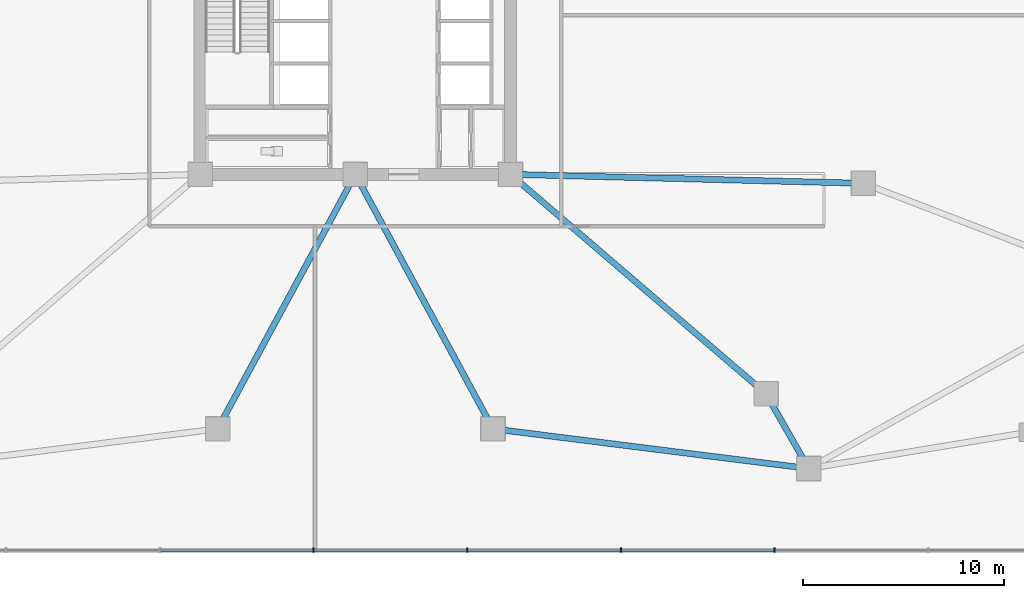
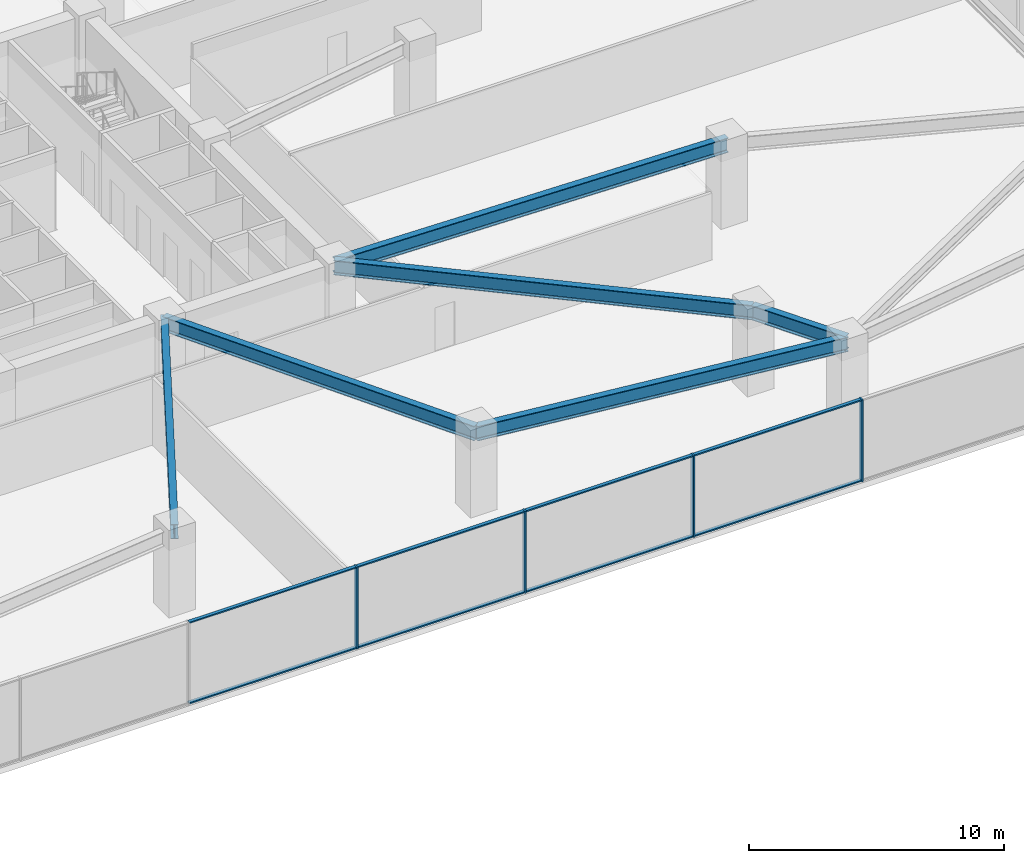
# One storey, part 4 of 21: 12 members, 6 beams, 1 element without a shape of its own.
"""IFC4 building model written with IfcOpenShell, lengths in metres."""

import ifcopenshell
import ifcopenshell.guid

model = None  # the IFC model being written
_history = None  # IfcOwnerHistory: only IFC2X3 demands one
_inside = {}  # id of a spatial element -> (the spatial element, [elements in it])
_under = {}  # id of a project, library or spatial element -> (it, [spatial elements below it])
_declared = {}  # id of a project -> (the project, [libraries it declares])
_typed = {}  # id of a type object -> (the type object, [elements of that type])
_made_of = {}  # id of a material, layer set ... -> (it, [elements and type objects made of it])


def new_model(schema):
    """Start an empty IFC model of exactly this schema.

    Asked for "IFC4X3", IfcOpenShell would pick the latest addendum, in which some entities
    have other attributes; the version numbers below select the first issue.
    IFC2X3 requires an IfcOwnerHistory on every rooted entity: one is made here for all.
    """
    global model, _history
    if schema == "IFC4X3":
        model = ifcopenshell.file(schema_version=(4, 3, 0, 0))
    else:
        model = ifcopenshell.file(schema=schema)
    _inside.clear()
    _under.clear()
    _declared.clear()
    _typed.clear()
    _made_of.clear()
    _history = None
    if model.schema == "IFC2X3":
        org = make("IfcOrganization", Name="unknown")
        user = make(
            "IfcPersonAndOrganization",
            ThePerson=make("IfcPerson", FamilyName="unknown"),
            TheOrganization=org,
        )
        app = make(
            "IfcApplication",
            ApplicationDeveloper=org,
            Version="unknown",
            ApplicationFullName="unknown",
            ApplicationIdentifier="unknown",
        )
        _history = make(
            "IfcOwnerHistory",
            OwningUser=user,
            OwningApplication=app,
            ChangeAction="ADDED",
            CreationDate=0,
        )
    return model


def make(cls, **values):
    """One entity of the class cls with the attributes given. An attribute that is None is left unset."""
    return model.create_entity(
        cls, **{name: value for name, value in values.items() if value is not None}
    )


def rooted(cls, **values):
    """An entity with a GlobalId (a new one), such as an element, a storey or a relation."""
    return make(cls, GlobalId=ifcopenshell.guid.new(), OwnerHistory=_history, **values)


def si_unit(unit_type, name, prefix=None):
    """IfcSIUnit, for example si_unit("LENGTHUNIT", "METRE", prefix="MILLI")."""
    return make("IfcSIUnit", UnitType=unit_type, Prefix=prefix, Name=name)


def assignment(units):
    """IfcUnitAssignment: the units of a project."""
    return None if units is None else make("IfcUnitAssignment", Units=units)


def point(xyz):
    """IfcCartesianPoint."""
    return None if xyz is None else make("IfcCartesianPoint", Coordinates=xyz)


def direction(xyz):
    """IfcDirection."""
    return None if xyz is None else make("IfcDirection", DirectionRatios=xyz)


def frame(location, z_axis=None, x_axis=None):
    """IfcAxis2Placement3D, a coordinate frame: its origin and axes. An axis left out is left unset."""
    return make(
        "IfcAxis2Placement3D",
        Location=point(location),
        Axis=direction(z_axis),
        RefDirection=direction(x_axis),
    )


def frame_2d(location, x_axis=None):
    """IfcAxis2Placement2D, a coordinate frame in the plane: its origin and x axis."""
    return make(
        "IfcAxis2Placement2D", Location=point(location), RefDirection=direction(x_axis)
    )


def origin():
    """The frame at (0, 0, 0) with its axes left unset."""
    return frame((0.0, 0.0, 0.0))


def origin_2d():
    """The frame at (0, 0) in the plane with its x axis left unset."""
    return frame_2d((0.0, 0.0))


def place(relative_to, where):
    """IfcLocalPlacement: puts the frame where relative to a parent placement (None: the world)."""
    return make(
        "IfcLocalPlacement", PlacementRelTo=relative_to, RelativePlacement=where
    )


def context(
    kind, dimensions, precision=None, world=None, true_north=None, identifier=None
):
    """IfcGeometricRepresentationContext, for example the 3D "Model" context."""
    return make(
        "IfcGeometricRepresentationContext",
        ContextIdentifier=identifier,
        ContextType=kind,
        CoordinateSpaceDimension=dimensions,
        Precision=precision,
        WorldCoordinateSystem=world,
        TrueNorth=true_north,
    )


def subcontext(parent, identifier, kind, view, scale=None):
    """IfcGeometricRepresentationSubContext, for example "Body" below "Model"."""
    return make(
        "IfcGeometricRepresentationSubContext",
        ContextIdentifier=identifier,
        ContextType=kind,
        ParentContext=parent,
        TargetScale=scale,
        TargetView=view,
    )


def project(units=None, contexts=None):
    """IfcProject with its units and contexts."""
    return rooted(
        "IfcProject",
        Name="project",
        RepresentationContexts=contexts,
        UnitsInContext=assignment(units),
    )


def spatial(cls, under=None, at=None, **own):
    """A site, building, storey or space (cls), placed at a placement, below another one or the project."""
    s = rooted(cls, ObjectPlacement=at, **own)
    if under is not None:
        _under.setdefault(under.id(), (under, []))[1].append(s)
    return s


def profile(cls, at=None, kind="AREA", **sizes):
    """A parametric profile (cls). Its sizes go by their IFC names, for example OverallWidth=200.0."""
    return make(cls, ProfileType=kind, Position=at, **sizes)


def rectangle(**sizes):
    """IfcRectangleProfileDef."""
    return profile("IfcRectangleProfileDef", **sizes)


def i_section(**sizes):
    """IfcIShapeProfileDef."""
    return profile("IfcIShapeProfileDef", **sizes)


def extrude(swept, where, along, depth):
    """IfcExtrudedAreaSolid: the profile swept, set in the frame where, extruded along a direction by depth."""
    return make(
        "IfcExtrudedAreaSolid",
        SweptArea=swept,
        Position=where,
        ExtrudedDirection=direction(along),
        Depth=depth,
    )


def shape(context_of_items, identifier, shape_type, items):
    """IfcShapeRepresentation: the items that make up one representation, for example the "Body"."""
    return make(
        "IfcShapeRepresentation",
        ContextOfItems=context_of_items,
        RepresentationIdentifier=identifier,
        RepresentationType=shape_type,
        Items=items,
    )


def material(Name=None, Category=None):
    """IfcMaterial."""
    return make("IfcMaterial", Name=Name, Category=Category)


def material_profile(
    of_material, cross_section, Name=None, Category=None, Priority=None
):
    """IfcMaterialProfile: a cross section and its material."""
    return make(
        "IfcMaterialProfile",
        Name=Name,
        Material=of_material,
        Profile=cross_section,
        Priority=Priority,
        Category=Category,
    )


def profile_set(profiles, Name=None, composite=None):
    """IfcMaterialProfileSet."""
    return make(
        "IfcMaterialProfileSet",
        Name=Name,
        MaterialProfiles=profiles,
        CompositeProfile=composite,
    )


def made_of(thing, what):
    """Note that an element or type object is made of a material, layer set ...; save() writes the relation."""
    if what is not None:
        _made_of.setdefault(what.id(), (what, []))[1].append(thing)
    return thing


def type_object(cls, material=None, **own):
    """A type object (cls), such as IfcWallType, which elements share."""
    return made_of(rooted(cls, **own), material)


def element(
    cls,
    number,
    at=None,
    inside=None,
    cuts=None,
    type_object=None,
    material=None,
    context=None,
    identifier="Body",
    shape_type=None,
    held_by="IfcProductDefinitionShape",
    body=None,
    shapes=None,
    **own,
):
    """One element of the class cls, such as IfcWall. Its Tag is "e" and its number.

    at: its placement. inside: the storey or other place that contains it. cuts: it is an
    opening in that element (IfcRelVoidsElement). A single representation is given by context,
    identifier, shape_type and body (its items); several are given by shapes. held_by: the class
    of the entity that holds the representations. save() writes the other relations.
    """
    e = rooted(cls, Tag="e%d" % number, ObjectPlacement=at, **own)
    if body is not None:
        shapes = [shape(context, identifier, shape_type, body)]
    if shapes is not None:
        e.Representation = make(held_by, Representations=shapes)
    if inside is not None:
        _inside.setdefault(inside.id(), (inside, []))[1].append(e)
    if cuts is not None:
        rooted(
            "IfcRelVoidsElement", RelatingBuildingElement=cuts, RelatedOpeningElement=e
        )
    if type_object is not None:
        _typed.setdefault(type_object.id(), (type_object, []))[1].append(e)
    return made_of(e, material)


def aggregate(whole, parts):
    """IfcRelAggregates: a whole, such as a stair, and the parts it consists of."""
    return rooted("IfcRelAggregates", RelatingObject=whole, RelatedObjects=parts)


def save(model, path):
    """Write the relations noted so far, then the file.

    IfcRelAggregates (storeys below a building ...), IfcRelContainedInSpatialStructure (elements
    in a storey), IfcRelDefinesByType, IfcRelAssociatesMaterial and IfcRelDeclares: one each for
    every whole, place, type object, material and project.
    """
    for whole, parts in _under.values():
        aggregate(whole, parts)
    for where, things in _inside.values():
        rooted(
            "IfcRelContainedInSpatialStructure",
            RelatedElements=things,
            RelatingStructure=where,
        )
    for kind, things in _typed.values():
        rooted("IfcRelDefinesByType", RelatedObjects=things, RelatingType=kind)
    for what, things in _made_of.values():
        rooted("IfcRelAssociatesMaterial", RelatedObjects=things, RelatingMaterial=what)
    for by, libraries in _declared.values():
        rooted("IfcRelDeclares", RelatingContext=by, RelatedDefinitions=libraries)
    model.write(path)


model = new_model("IFC4")

# Units and contexts
model_context = context("Model", 3, precision=1e-05, world=origin(), true_north=direction((0.0, 1.0)))
body_context = subcontext(model_context, "Body", "Model", "MODEL_VIEW")
ifc_project = project(units=[si_unit("LENGTHUNIT", "METRE"), si_unit("AREAUNIT", "SQUARE_METRE"), si_unit("VOLUMEUNIT", "CUBIC_METRE"), si_unit("PLANEANGLEUNIT", "RADIAN"), si_unit("MASSUNIT", "GRAM", prefix="KILO")], contexts=[model_context])

# Site, building, storey
site_placement = place(None, origin())
site = spatial("IfcSite", under=ifc_project, at=site_placement, CompositionType="ELEMENT")
building_placement = place(site_placement, origin())
building = spatial("IfcBuilding", under=site, at=building_placement, Name="Savorim Split Tower", CompositionType="ELEMENT")
storey_placement = place(building_placement, frame((0.0, 0.0, 5.0)))
storey = spatial("IfcBuildingStorey", under=building, at=storey_placement, Name="L01", CompositionType="ELEMENT", Elevation=5.0)

# Beams
ifc_material_1 = material(Name="Steel S355", Category="steel")
ifc_material_profile_1 = material_profile(ifc_material_1, i_section(OverallWidth=0.300048828125, OverallDepth=0.699951171875, WebThickness=0.01708984375, FlangeThickness=0.031982421875, FilletRadius=0.027099609375, at=origin_2d()), Name="HEB 700")
ifc_profile_set_1 = profile_set([ifc_material_profile_1], Name="Steel S355")
beam_type = type_object("IfcBeamType", Name="BM-PRI-HEB700", PredefinedType="BEAM", material=ifc_profile_set_1)
beam_1_placement = place(storey_placement, frame((22.5, -24.0, 3.570068359375), z_axis=(-0.992201816191, 0.124641710303, 0.0), x_axis=(-0.124641710303, -0.992201816191, 0.0)))
element("IfcBeam", 1, at=beam_1_placement, inside=storey, type_object=beam_type, Name="L01 Podium Primary Girder BG-03", PredefinedType="BEAM", context=body_context, shape_type="SweptSolid", body=[
    extrude(i_section(OverallWidth=0.300048828125, OverallDepth=0.699951171875, WebThickness=0.01708984375, FlangeThickness=0.031982421875, FilletRadius=0.027099609375, at=origin_2d()), origin(), (0.0, 0.0, 1.0), 15.791259765625),
])
beam_2_placement = place(storey_placement, frame((22.5, -24.0, 3.570068359375), z_axis=(-0.495603085314, 0.868549124591, 0.0), x_axis=(-0.868549124591, -0.495603085314, 0.0)))
element("IfcBeam", 2, at=beam_2_placement, inside=storey, type_object=beam_type, Name="L01 Podium Primary Girder BG-04", PredefinedType="BEAM", context=body_context, shape_type="SweptSolid", body=[
    extrude(i_section(OverallWidth=0.300048828125, OverallDepth=0.699951171875, WebThickness=0.01708984375, FlangeThickness=0.031982421875, FilletRadius=0.027099609375, at=origin_2d()), origin(), (0.0, 0.0, 1.0), 4.26953125),
])
for number, where, z_axis, x_axis, name in (
    (3, (-6.831787109375, -22.03173828125, 3.570068359375), (0.47572005496, 0.879596742438, 0.0), (-0.879596742438, 0.47572005496, 0.0), "L01 Podium Primary Girder BG-23"),
    (4, (6.831787109375, -22.03173828125, 3.570068359375), (-0.47572005496, 0.879596742438, 0.0), (-0.879596742438, -0.47572005496, 0.0), "L01 Podium Primary Girder BG-24"),
):
    element("IfcBeam", number, at=place(storey_placement, frame(where, z_axis=z_axis, x_axis=x_axis)), inside=storey, type_object=beam_type, Name=name, PredefinedType="BEAM", context=body_context, shape_type="SweptSolid", body=[
        extrude(i_section(OverallWidth=0.300048828125, OverallDepth=0.699951171875, WebThickness=0.01708984375, FlangeThickness=0.031982421875, FilletRadius=0.027099609375, at=origin_2d()), origin(), (0.0, 0.0, 1.0), 14.36083984375),
    ])
beam_3_placement = place(storey_placement, frame((20.384033203125, -20.291748046875, 3.570068359375), z_axis=(-0.758671842154, 0.651472974054, 0.0), x_axis=(-0.651472974054, -0.758671842154, 0.0)))
element("IfcBeam", 5, at=beam_3_placement, inside=storey, type_object=beam_type, Name="L01 Podium Primary Girder BG-25", PredefinedType="BEAM", context=body_context, shape_type="SweptSolid", body=[
    extrude(i_section(OverallWidth=0.300048828125, OverallDepth=0.699951171875, WebThickness=0.01708984375, FlangeThickness=0.031982421875, FilletRadius=0.027099609375, at=origin_2d()), origin(), (0.0, 0.0, 1.0), 16.71875),
])
beam_4_placement = place(storey_placement, frame((25.21337890625, -9.845458984375, 3.570068359375), z_axis=(-0.999676538363, 0.025432629574, 0.0), x_axis=(-0.025432629574, -0.999676538363, 0.0)))
element("IfcBeam", 6, at=beam_4_placement, inside=storey, type_object=beam_type, Name="L01 Podium Primary Girder BG-26", PredefinedType="BEAM", context=body_context, shape_type="SweptSolid", body=[
    extrude(i_section(OverallWidth=0.300048828125, OverallDepth=0.699951171875, WebThickness=0.01708984375, FlangeThickness=0.031982421875, FilletRadius=0.027099609375, at=origin_2d()), origin(), (0.0, 0.0, 1.0), 17.51904296875),
])

# Curtain wall, members
ifc_material_2 = material(Name="Dark Ceramic-Fritted Insulated Glass", Category="glass")
curtain_wall_type = type_object("IfcCurtainWallType", Name="CW-POD-GLZ", PredefinedType="NOTDEFINED", material=ifc_material_2)
curtain_wall_placement = place(storey_placement, origin())
curtain_wall = element("IfcCurtainWall", 7, at=curtain_wall_placement, inside=storey, type_object=curtain_wall_type, Name="L01 Curtain Wall CW-L01-E04", PredefinedType="NOTDEFINED")
ifc_material_3 = material(Name="Charcoal Anodised Aluminium", Category="aluminium")
ifc_material_profile_2 = material_profile(ifc_material_3, rectangle(XDim=0.219970703125, YDim=0.070068359375, at=origin_2d()), Name="ALU-M 220x70")
ifc_profile_set_2 = profile_set([ifc_material_profile_2], Name="Charcoal Anodised Aluminium")
member_type_1 = type_object("IfcMemberType", Name="CWM-220x70", PredefinedType="MULLION", material=ifc_profile_set_2)
member_1_placement = place(storey_placement, frame((-2.074462890625, -28.0400390625, 0.0), z_axis=(0.0, 0.0, 1.0), x_axis=(0.0, 1.0, 0.0)))
member_1 = element("IfcMember", 8, at=member_1_placement, type_object=member_type_1, Name="CW-01 mullion 4", PredefinedType="MULLION", context=body_context, shape_type="SweptSolid", body=[
    extrude(rectangle(XDim=0.219970703125, YDim=0.070068359375, at=origin_2d()), origin(), (0.0, 0.0, 1.0), 3.919921875),
])
member_2_placement = place(storey_placement, frame((5.552490234375, -28.0400390625, 0.0), z_axis=(0.0, 0.0, 1.0), x_axis=(0.0, 1.0, 0.0)))
member_2 = element("IfcMember", 9, at=member_2_placement, type_object=member_type_1, Name="CW-01 mullion 5", PredefinedType="MULLION", context=body_context, shape_type="SweptSolid", body=[
    extrude(rectangle(XDim=0.219970703125, YDim=0.070068359375, at=origin_2d()), origin(), (0.0, 0.0, 1.0), 3.919921875),
])
member_3_placement = place(storey_placement, frame((13.179443359375, -28.0400390625, 0.0), z_axis=(0.0, 0.0, 1.0), x_axis=(0.0, 1.0, 0.0)))
member_3 = element("IfcMember", 10, at=member_3_placement, type_object=member_type_1, Name="CW-01 mullion 6", PredefinedType="MULLION", context=body_context, shape_type="SweptSolid", body=[
    extrude(rectangle(XDim=0.219970703125, YDim=0.070068359375, at=origin_2d()), origin(), (0.0, 0.0, 1.0), 3.919921875),
])
member_4_placement = place(storey_placement, frame((20.80615234375, -28.0400390625, 0.0), z_axis=(0.0, 0.0, 1.0), x_axis=(0.0, 1.0, 0.0)))
member_4 = element("IfcMember", 11, at=member_4_placement, type_object=member_type_1, Name="CW-01 mullion 7", PredefinedType="MULLION", context=body_context, shape_type="SweptSolid", body=[
    extrude(rectangle(XDim=0.219970703125, YDim=0.070068359375, at=origin_2d()), origin(), (0.0, 0.0, 1.0), 3.919921875),
])
ifc_material_profile_3 = material_profile(ifc_material_3, rectangle(XDim=0.159912109375, YDim=0.06005859375, at=origin_2d()), Name="ALU-T 160x60")
ifc_profile_set_3 = profile_set([ifc_material_profile_3], Name="Charcoal Anodised Aluminium")
member_type_2 = type_object("IfcMemberType", Name="CWT-160x60", PredefinedType="USERDEFINED", material=ifc_profile_set_3)
member_5_placement = place(storey_placement, frame((-9.666259765625, -28.0400390625, 0.030029296875), z_axis=(1.0, 0.0, 0.0), x_axis=(0.0, 1.0, 0.0)))
member_5 = element("IfcMember", 12, at=member_5_placement, type_object=member_type_2, Name="CW-01 transom 3.1", ObjectType="TRANSOM", PredefinedType="USERDEFINED", context=body_context, shape_type="SweptSolid", body=[
    extrude(rectangle(XDim=0.159912109375, YDim=0.06005859375, at=origin_2d()), origin(), (0.0, 0.0, 1.0), 7.556884765625),
])
member_6_placement = place(storey_placement, frame((-9.666259765625, -28.0400390625, 3.889892578125), z_axis=(1.0, 0.0, 0.0), x_axis=(0.0, 1.0, 0.0)))
member_6 = element("IfcMember", 13, at=member_6_placement, type_object=member_type_2, Name="CW-01 transom 3.2", ObjectType="TRANSOM", PredefinedType="USERDEFINED", context=body_context, shape_type="SweptSolid", body=[
    extrude(rectangle(XDim=0.159912109375, YDim=0.06005859375, at=origin_2d()), origin(), (0.0, 0.0, 1.0), 7.556884765625),
])
member_7_placement = place(storey_placement, frame((-2.039306640625, -28.0400390625, 0.030029296875), z_axis=(1.0, 0.0, 0.0), x_axis=(0.0, 1.0, 0.0)))
member_7 = element("IfcMember", 14, at=member_7_placement, type_object=member_type_2, Name="CW-01 transom 4.1", ObjectType="TRANSOM", PredefinedType="USERDEFINED", context=body_context, shape_type="SweptSolid", body=[
    extrude(rectangle(XDim=0.159912109375, YDim=0.06005859375, at=origin_2d()), origin(), (0.0, 0.0, 1.0), 7.556884765625),
])
member_8_placement = place(storey_placement, frame((-2.039306640625, -28.0400390625, 3.889892578125), z_axis=(1.0, 0.0, 0.0), x_axis=(0.0, 1.0, 0.0)))
member_8 = element("IfcMember", 15, at=member_8_placement, type_object=member_type_2, Name="CW-01 transom 4.2", ObjectType="TRANSOM", PredefinedType="USERDEFINED", context=body_context, shape_type="SweptSolid", body=[
    extrude(rectangle(XDim=0.159912109375, YDim=0.06005859375, at=origin_2d()), origin(), (0.0, 0.0, 1.0), 7.556884765625),
])
member_9_placement = place(storey_placement, frame((5.58740234375, -28.0400390625, 0.030029296875), z_axis=(1.0, 0.0, 0.0), x_axis=(0.0, 1.0, 0.0)))
member_9 = element("IfcMember", 16, at=member_9_placement, type_object=member_type_2, Name="CW-01 transom 5.1", ObjectType="TRANSOM", PredefinedType="USERDEFINED", context=body_context, shape_type="SweptSolid", body=[
    extrude(rectangle(XDim=0.159912109375, YDim=0.06005859375, at=origin_2d()), origin(), (0.0, 0.0, 1.0), 7.556884765625),
])
member_10_placement = place(storey_placement, frame((5.58740234375, -28.0400390625, 3.889892578125), z_axis=(1.0, 0.0, 0.0), x_axis=(0.0, 1.0, 0.0)))
member_10 = element("IfcMember", 17, at=member_10_placement, type_object=member_type_2, Name="CW-01 transom 5.2", ObjectType="TRANSOM", PredefinedType="USERDEFINED", context=body_context, shape_type="SweptSolid", body=[
    extrude(rectangle(XDim=0.159912109375, YDim=0.06005859375, at=origin_2d()), origin(), (0.0, 0.0, 1.0), 7.556884765625),
])
member_11_placement = place(storey_placement, frame((13.21435546875, -28.0400390625, 0.030029296875), z_axis=(1.0, 0.0, 0.0), x_axis=(0.0, 1.0, 0.0)))
member_11 = element("IfcMember", 18, at=member_11_placement, type_object=member_type_2, Name="CW-01 transom 6.1", ObjectType="TRANSOM", PredefinedType="USERDEFINED", context=body_context, shape_type="SweptSolid", body=[
    extrude(rectangle(XDim=0.159912109375, YDim=0.06005859375, at=origin_2d()), origin(), (0.0, 0.0, 1.0), 7.556884765625),
])
member_12_placement = place(storey_placement, frame((13.21435546875, -28.0400390625, 3.889892578125), z_axis=(1.0, 0.0, 0.0), x_axis=(0.0, 1.0, 0.0)))
member_12 = element("IfcMember", 19, at=member_12_placement, type_object=member_type_2, Name="CW-01 transom 6.2", ObjectType="TRANSOM", PredefinedType="USERDEFINED", context=body_context, shape_type="SweptSolid", body=[
    extrude(rectangle(XDim=0.159912109375, YDim=0.06005859375, at=origin_2d()), origin(), (0.0, 0.0, 1.0), 7.556884765625),
])
aggregate(curtain_wall, [member_1, member_2, member_3, member_4, member_5, member_6, member_7, member_8, member_9, member_10, member_11, member_12])

save(model, "model.ifc")
